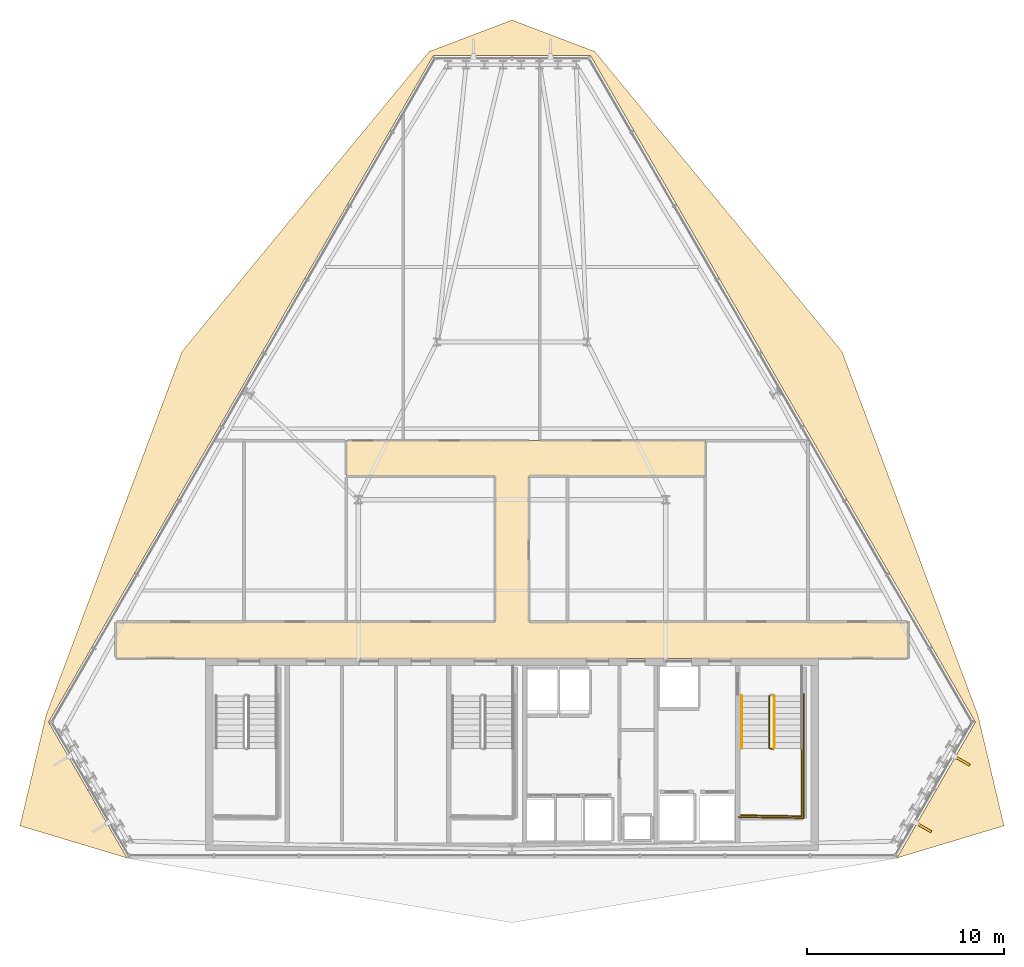
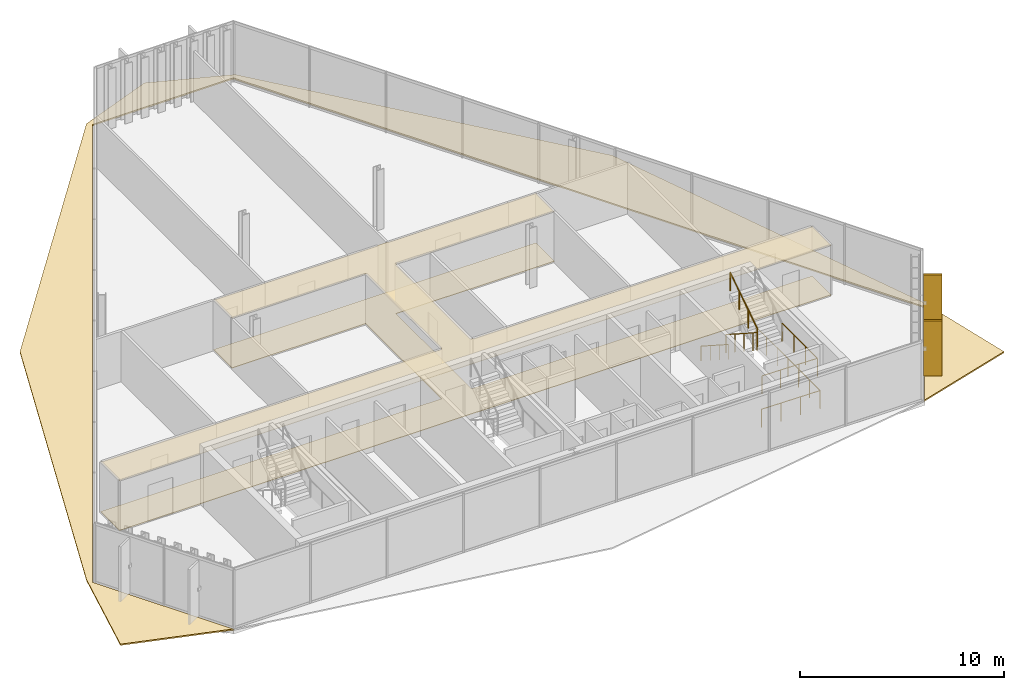
# One storey, part 35 of 37: 5 railings, 3 coverings, 2 shading devices.
"""IFC4 building model written with IfcOpenShell, lengths in metres."""

from ifc_helpers import new_model, si_unit, direction, frame, origin, origin_2d, place, context, subcontext, project, spatial, polyline, rectangle, circle, outline, extrude, material, layer, layer_set, type_object, element, save


model = new_model("IFC4")

# Units and contexts
model_context = context("Model", 3, precision=1e-05, world=origin(), true_north=direction((0.0, 1.0)))
body_context = subcontext(model_context, "Body", "Model", "MODEL_VIEW")
ifc_project = project(units=[si_unit("LENGTHUNIT", "METRE"), si_unit("AREAUNIT", "SQUARE_METRE"), si_unit("VOLUMEUNIT", "CUBIC_METRE"), si_unit("PLANEANGLEUNIT", "RADIAN"), si_unit("MASSUNIT", "GRAM", prefix="KILO")], contexts=[model_context])

# Site, building, storey
site_placement = place(None, origin())
site = spatial("IfcSite", under=ifc_project, at=site_placement, CompositionType="ELEMENT")
building_placement = place(site_placement, origin())
building = spatial("IfcBuilding", under=site, at=building_placement, Name="Ndaravel Arena Tower", CompositionType="ELEMENT")
storey_placement = place(building_placement, frame((0.0, 0.0, 218.0)))
storey = spatial("IfcBuildingStorey", under=building, at=storey_placement, Name="L52", CompositionType="ELEMENT", Elevation=218.0)

# Coverings
ifc_material_1 = material(Name="Acoustic Ceiling Tile", Category="finish")
ifc_layer_1 = layer(ifc_material_1, 0.02490234375)
ifc_layer_set_1 = layer_set([ifc_layer_1], Name="Acoustic Ceiling Tile")
covering_type_1 = type_object("IfcCoveringType", Name="COV-CEIL-AC600", PredefinedType="CEILING", material=ifc_layer_set_1)
covering_1_placement = place(storey_placement, frame((0.0, 0.0, 2.98046875)))
element("IfcCovering", 1, at=covering_1_placement, inside=storey, type_object=covering_type_1, Name="L52 Corridor Acoustic Ceiling", PredefinedType="CEILING", context=body_context, shape_type="SweptSolid", body=[
    extrude(outline(polyline([(62.091064453125, 17.0), (42.85009765625, 17.0), (42.85009765625, 24.39990234375), (51.800048828125, 24.39990234375), (51.800048828125, 26.199951171875), (42.85009765625, 26.199951171875), (41.14990234375, 26.199951171875), (33.60009765625, 26.199951171875), (33.60009765625, 24.39990234375), (41.14990234375, 24.39990234375), (41.14990234375, 17.0), (21.908935546875, 17.0), (21.908935546875, 15.14990234375), (62.091064453125, 15.14990234375), (62.091064453125, 17.0)])), origin(), (0.0, 0.0, 1.0), 0.025146484375),
])
ifc_material_2 = material(Name="Terrazzo", Category="stone")
ifc_layer_2 = layer(ifc_material_2, 0.030029296875)
ifc_layer_set_2 = layer_set([ifc_layer_2], Name="Terrazzo")
covering_type_2 = type_object("IfcCoveringType", Name="COV-FLOOR-TERRAZZO", PredefinedType="FLOORING", material=ifc_layer_set_2)
covering_2_placement = place(storey_placement, origin())
element("IfcCovering", 2, at=covering_2_placement, inside=storey, type_object=covering_type_2, Name="L52 Corridor Terrazzo Flooring", PredefinedType="FLOORING", context=body_context, shape_type="SweptSolid", body=[
    extrude(outline(polyline([(62.091064453125, 17.0), (42.85009765625, 17.0), (42.85009765625, 24.39990234375), (51.800048828125, 24.39990234375), (51.800048828125, 26.199951171875), (42.85009765625, 26.199951171875), (41.14990234375, 26.199951171875), (33.60009765625, 26.199951171875), (33.60009765625, 24.39990234375), (41.14990234375, 24.39990234375), (41.14990234375, 17.0), (21.908935546875, 17.0), (21.908935546875, 15.14990234375), (62.091064453125, 15.14990234375), (62.091064453125, 17.0)])), origin(), (0.0, 0.0, 1.0), 0.030029296875),
])
ifc_material_3 = material(Name="Roofing Membrane", Category="finish")
ifc_layer_3 = layer(ifc_material_3, 0.080078125)
ifc_layer_set_3 = layer_set([ifc_layer_3], Name="Roofing Membrane")
covering_type_3 = type_object("IfcCoveringType", Name="COV-ROOF-MEMB", PredefinedType="ROOFING", material=ifc_layer_set_3)
covering_3_placement = place(storey_placement, origin())
element("IfcCovering", 3, at=covering_3_placement, inside=storey, type_object=covering_type_3, Name="L52 Facet Setback Weathering Flashing", PredefinedType="ROOFING", context=body_context, shape_type="SweptSolid", body=[
    extrude(outline(polyline([(17.05078125, 6.661376953125), (18.3720703125, 12.272705078125), (25.272216796875, 30.7236328125), (37.80126953125, 45.9248046875), (42.0, 47.52490234375), (46.19873046875, 45.9248046875), (58.727783203125, 30.7236328125), (65.6279296875, 12.272705078125), (66.94921875, 6.661376953125), (61.51806640625, 5.02685546875), (65.496826171875, 11.918212890625), (45.982666015625, 45.7177734375), (38.017333984375, 45.7177734375), (18.503173828125, 11.918212890625), (22.48193359375, 5.02685546875), (17.05078125, 6.661376953125)])), origin(), (0.0, 0.0, 1.0), 0.080078125),
])

# Railings
ifc_material_4 = material(Name="Steel S355", Category="steel")
ifc_layer_4 = layer(ifc_material_4, 0.06005859375)
ifc_layer_set_4 = layer_set([ifc_layer_4], Name="Steel S355")
railing_type_1 = type_object("IfcRailingType", Name="RAIL-STAIR-GD1100", PredefinedType="GUARDRAIL", material=ifc_layer_set_4)
railing_1_placement = place(storey_placement, frame((55.050048828125, 13.25, 0.18994140625)))
element("IfcRailing", 4, at=railing_1_placement, inside=storey, type_object=railing_type_1, Name="L52 ST-3 stair guard 1", PredefinedType="GUARDRAIL", context=body_context, shape_type="SweptSolid", body=[
    extrude(circle(Radius=0.02392578125, at=origin_2d()), frame((0.0, 0.0, 1.076171875), z_axis=(0.0, -0.840723540582, 0.54146461409), x_axis=(1.0, 0.0, 0.0)), (0.0, 0.0, 1.0), 3.157958984375),
    extrude(circle(Radius=0.02392578125, at=origin_2d()), frame((0.0, -2.655029296875, 2.7861328125), z_axis=(0.966993988697, -0.254799187253, 0.0), x_axis=(0.254799187253, 0.966993988697, 0.0)), (0.0, 0.0, 1.0), 0.196533203125),
    extrude(circle(Radius=0.02099609375, at=origin_2d()), origin(), (0.0, 0.0, 1.0), 1.052001953125),
    extrude(circle(Radius=0.02099609375, at=origin_2d()), frame((0.0, -0.885009765625, 0.570068359375)), (0.0, 0.0, 1.0), 1.052001953125),
    extrude(circle(Radius=0.02099609375, at=origin_2d()), frame((0.0, -1.77001953125, 1.139892578125)), (0.0, 0.0, 1.0), 1.052001953125),
    extrude(circle(Radius=0.02099609375, at=origin_2d()), frame((0.0, -2.655029296875, 1.7099609375)), (0.0, 0.0, 1.0), 1.052001953125),
    extrude(circle(Radius=0.02099609375, at=origin_2d()), frame((0.18994140625, -2.705078125, 1.7099609375)), (0.0, 0.0, 1.0), 1.052001953125),
])
railing_2_placement = place(storey_placement, frame((56.68994140625, 10.594970703125, 1.89990234375)))
element("IfcRailing", 5, at=railing_2_placement, inside=storey, type_object=railing_type_1, Name="L52 ST-3 stair guard 2", PredefinedType="GUARDRAIL", context=body_context, shape_type="SweptSolid", body=[
    extrude(circle(Radius=0.02392578125, at=origin_2d()), frame((0.0, 0.0, 1.076171875), z_axis=(0.0, -1.0, 0.0), x_axis=(1.0, 0.0, 0.0)), (0.0, 0.0, 1.0), 3.445068359375),
    extrude(circle(Radius=0.02392578125, at=origin_2d()), frame((0.0, -3.445068359375, 1.076171875), z_axis=(-0.999868840623, 0.016195726322, 0.0), x_axis=(-0.016195726322, -0.999868840623, 0.0)), (0.0, 0.0, 1.0), 3.09033203125),
    extrude(circle(Radius=0.02099609375, at=origin_2d()), origin(), (0.0, 0.0, 1.0), 1.052001953125),
    extrude(circle(Radius=0.02099609375, at=origin_2d()), frame((0.0, -1.1484375, 0.0)), (0.0, 0.0, 1.0), 1.052001953125),
    extrude(circle(Radius=0.02099609375, at=origin_2d()), frame((0.0, -2.296630859375, 0.0)), (0.0, 0.0, 1.0), 1.052001953125),
    extrude(circle(Radius=0.02099609375, at=origin_2d()), frame((0.0, -3.445068359375, 0.0)), (0.0, 0.0, 1.0), 1.052001953125),
    extrude(circle(Radius=0.02099609375, at=origin_2d()), frame((-1.030029296875, -3.428466796875, 0.0)), (0.0, 0.0, 1.0), 1.052001953125),
    extrude(circle(Radius=0.02099609375, at=origin_2d()), frame((-2.059814453125, -3.41162109375, 0.0)), (0.0, 0.0, 1.0), 1.052001953125),
    extrude(circle(Radius=0.02099609375, at=origin_2d()), frame((-3.08984375, -3.39501953125, 0.0)), (0.0, 0.0, 1.0), 1.052001953125),
])
railing_3_placement = place(storey_placement, frame((55.2900390625, 10.594970703125, 2.090087890625)))
element("IfcRailing", 6, at=railing_3_placement, inside=storey, type_object=railing_type_1, Name="L52 ST-3 stair guard 3", PredefinedType="GUARDRAIL", context=body_context, shape_type="SweptSolid", body=[
    extrude(circle(Radius=0.02392578125, at=origin_2d()), frame((0.0, 0.0, 1.076171875), z_axis=(0.0, 0.840723540582, 0.54146461409), x_axis=(-1.0, 0.0, 0.0)), (0.0, 0.0, 1.0), 3.157958984375),
    extrude(circle(Radius=0.02099609375, at=origin_2d()), origin(), (0.0, 0.0, 1.0), 1.052001953125),
    extrude(circle(Radius=0.02099609375, at=origin_2d()), frame((0.0, 0.885009765625, 0.570068359375)), (0.0, 0.0, 1.0), 1.052001953125),
    extrude(circle(Radius=0.02099609375, at=origin_2d()), frame((0.0, 1.77001953125, 1.139892578125)), (0.0, 0.0, 1.0), 1.052001953125),
    extrude(circle(Radius=0.02099609375, at=origin_2d()), frame((0.0, 2.655029296875, 1.7099609375)), (0.0, 0.0, 1.0), 1.052001953125),
])
railing_4_placement = place(storey_placement, frame((56.7900390625, 13.35009765625, 0.0)))
element("IfcRailing", 7, at=railing_4_placement, inside=storey, type_object=railing_type_1, Name="L52 ST-3 stair guard 6", PredefinedType="GUARDRAIL", context=body_context, shape_type="SweptSolid", body=[
    extrude(circle(Radius=0.02392578125, at=origin_2d()), frame((0.0, 0.0, 1.076171875), z_axis=(0.0, -1.0, 0.0), x_axis=(1.0, 0.0, 0.0)), (0.0, 0.0, 1.0), 6.300048828125),
    extrude(circle(Radius=0.02392578125, at=origin_2d()), frame((0.0, -6.300048828125, 1.076171875), z_axis=(-0.99988431412, 0.015210469308, 0.0), x_axis=(-0.015210469308, -0.99988431412, 0.0)), (0.0, 0.0, 1.0), 3.29052734375),
    extrude(circle(Radius=0.02099609375, at=origin_2d()), origin(), (0.0, 0.0, 1.0), 1.052001953125),
    extrude(circle(Radius=0.02099609375, at=origin_2d()), frame((0.0, -1.050048828125, 0.0)), (0.0, 0.0, 1.0), 1.052001953125),
    extrude(circle(Radius=0.02099609375, at=origin_2d()), frame((0.0, -2.10009765625, 0.0)), (0.0, 0.0, 1.0), 1.052001953125),
    extrude(circle(Radius=0.02099609375, at=origin_2d()), frame((0.0, -3.14990234375, 0.0)), (0.0, 0.0, 1.0), 1.052001953125),
    extrude(circle(Radius=0.02099609375, at=origin_2d()), frame((0.0, -4.199951171875, 0.0)), (0.0, 0.0, 1.0), 1.052001953125),
    extrude(circle(Radius=0.02099609375, at=origin_2d()), frame((0.0, -5.25, 0.0)), (0.0, 0.0, 1.0), 1.052001953125),
    extrude(circle(Radius=0.02099609375, at=origin_2d()), frame((0.0, -6.300048828125, 0.0)), (0.0, 0.0, 1.0), 1.052001953125),
    extrude(circle(Radius=0.02099609375, at=origin_2d()), frame((-1.0966796875, -6.283447265625, 0.0)), (0.0, 0.0, 1.0), 1.052001953125),
    extrude(circle(Radius=0.02099609375, at=origin_2d()), frame((-2.193359375, -6.2666015625, 0.0)), (0.0, 0.0, 1.0), 1.052001953125),
    extrude(circle(Radius=0.02099609375, at=origin_2d()), frame((-3.2900390625, -6.25, 0.0)), (0.0, 0.0, 1.0), 1.052001953125),
])
ifc_material_5 = material(Name="Steel S355", Category="steel")
ifc_layer_5 = layer(ifc_material_5, 0.050048828125)
ifc_layer_set_5 = layer_set([ifc_layer_5], Name="Steel S355")
railing_type_2 = type_object("IfcRailingType", Name="RAIL-STAIR-HR920", PredefinedType="HANDRAIL", material=ifc_layer_set_5)
railing_5_placement = place(storey_placement, frame((53.64990234375, 13.25, 0.18994140625)))
element("IfcRailing", 8, at=railing_5_placement, inside=storey, type_object=railing_type_2, Name="L52 ST-3 stair handrail 1", PredefinedType="HANDRAIL", context=body_context, shape_type="SweptSolid", body=[
    extrude(circle(Radius=0.02392578125, at=origin_2d()), frame((0.0, 0.0, 0.8759765625), z_axis=(0.0, -0.840723540582, 0.54146461409), x_axis=(1.0, 0.0, 0.0)), (0.0, 0.0, 1.0), 3.157958984375),
    extrude(circle(Radius=0.02099609375, at=origin_2d()), origin(), (0.0, 0.0, 1.0), 0.851806640625),
    extrude(circle(Radius=0.02099609375, at=origin_2d()), frame((0.0, -0.885009765625, 0.570068359375)), (0.0, 0.0, 1.0), 0.851806640625),
    extrude(circle(Radius=0.02099609375, at=origin_2d()), frame((0.0, -1.77001953125, 1.139892578125)), (0.0, 0.0, 1.0), 0.851806640625),
    extrude(circle(Radius=0.02099609375, at=origin_2d()), frame((0.0, -2.655029296875, 1.7099609375)), (0.0, 0.0, 1.0), 0.851806640625),
])

# Shading devices
ifc_material_6 = material(Name="Masonry", Category="masonry")
shading_device_type = type_object("IfcShadingDeviceType", Name="SHD-MAZERAS-FIN", PredefinedType="SHUTTER", material=ifc_material_6)
for number, where, z_axis, x_axis, name in (
    (9, (62.87109375, 6.58251953125, 0.14990234375), (0.0, 0.0, 1.0), (0.866025403784, -0.5, 0.0), "L52 Mazeras Stone Solar Fin E2.1"),
    (10, (64.822021484375, 9.961669921875, 0.14990234375), (0.0, 0.0, 1.0), (0.866025403784, -0.5, 0.0), "L52 Mazeras Stone Solar Fin E2.2"),
):
    element("IfcShadingDevice", number, at=place(storey_placement, frame(where, z_axis=z_axis, x_axis=x_axis)), inside=storey, type_object=shading_device_type, Name=name, PredefinedType="SHUTTER", context=body_context, shape_type="SweptSolid", body=[
        extrude(rectangle(XDim=0.89990234375, YDim=0.1201171875, at=origin_2d()), origin(), (0.0, 0.0, 1.0), 3.280029296875),
    ])

save(model, "model.ifc")
